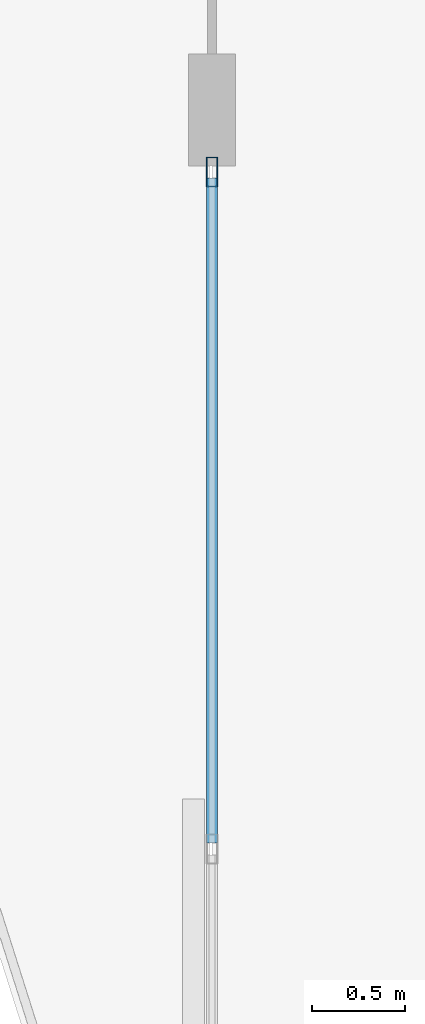
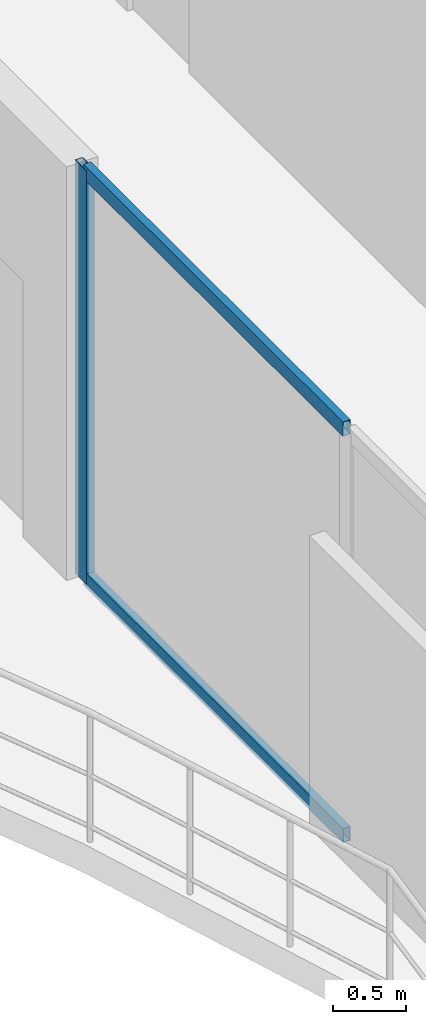
# One storey, part 8 of 16: 3 members, 1 element without a shape of its own.
"""IFC4 building model written with IfcOpenShell, lengths in metres."""

from ifc_helpers import new_model, si_unit, direction, frame, origin, origin_2d, place, context, subcontext, project, spatial, hollow_rectangle, extrude, material, layer, layer_set, material_profile, profile_set, type_object, element, aggregate, save


model = new_model("IFC4")

# Units and contexts
model_context = context("Model", 3, precision=1e-05, world=origin(), true_north=direction((0.0, 1.0)))
body_context = subcontext(model_context, "Body", "Model", "MODEL_VIEW")
ifc_project = project(units=[si_unit("LENGTHUNIT", "METRE"), si_unit("AREAUNIT", "SQUARE_METRE"), si_unit("VOLUMEUNIT", "CUBIC_METRE"), si_unit("PLANEANGLEUNIT", "RADIAN"), si_unit("MASSUNIT", "GRAM", prefix="KILO")], contexts=[model_context])

# Site, building, storey
site_placement = place(None, origin())
site = spatial("IfcSite", under=ifc_project, at=site_placement, CompositionType="ELEMENT")
building_placement = place(site_placement, origin())
building = spatial("IfcBuilding", under=site, at=building_placement, Name="Catumbela Crestline Tower", CompositionType="ELEMENT")
storey_placement = place(building_placement, frame((0.0, 0.0, 286.8)))
storey = spatial("IfcBuildingStorey", under=building, at=storey_placement, Name="L74", CompositionType="ELEMENT", Elevation=286.8)

# Curtain wall, members
ifc_material = material(Name="Aluminium alloy AW-6060-T66", Category="aluminium")
ifc_layer = layer(ifc_material, 0.18, Name="Aluminium alloy AW-6060-T66")
ifc_layer_set = layer_set([ifc_layer], Name="Aluminium alloy AW-6060-T66")
curtain_wall_type = type_object("IfcCurtainWallType", Name="CWU-Z4", PredefinedType="USERDEFINED", material=ifc_layer_set)
curtain_wall_placement = place(storey_placement, origin())
curtain_wall = element("IfcCurtainWall", 1, at=curtain_wall_placement, inside=storey, type_object=curtain_wall_type, Name="L74 Unitised Curtain Wall CW-L74-E9S2", ObjectType="UNITISED", PredefinedType="USERDEFINED")
ifc_material_profile_1 = material_profile(ifc_material, hollow_rectangle(XDim=0.06, YDim=0.16, WallThickness=0.004, at=origin_2d()), Name="ALU 160x60x4")
ifc_profile_set_1 = profile_set([ifc_material_profile_1], Name="Aluminium alloy AW-6060-T66")
member_type_1 = type_object("IfcMemberType", Name="MUL-160X60", PredefinedType="MULLION", material=ifc_profile_set_1)
member_1_placement = place(storey_placement, frame((9.2, 34.5675, 0.0), z_axis=(0.0, 0.0, 1.0), x_axis=(1.0, 0.0, 0.0)))
member_1 = element("IfcMember", 2, at=member_1_placement, type_object=member_type_1, Name="CWU-Z4 mullion 1", PredefinedType="MULLION", context=body_context, shape_type="SweptSolid", body=[
    extrude(hollow_rectangle(XDim=0.06, YDim=0.16, WallThickness=0.004, at=origin_2d()), origin(), (0.0, 0.0, 1.0), 3.47),
])
ifc_material_profile_2 = material_profile(ifc_material, hollow_rectangle(XDim=0.06, YDim=0.12, WallThickness=0.0035, at=origin_2d()), Name="ALU 120x60x3.5")
ifc_profile_set_2 = profile_set([ifc_material_profile_2], Name="Aluminium alloy AW-6060-T66")
member_type_2 = type_object("IfcMemberType", Name="TRN-120X60", PredefinedType="USERDEFINED", material=ifc_profile_set_2)
member_2_placement = place(storey_placement, frame((9.2, 34.535, 0.03), z_axis=(0.0, -1.0, 0.0), x_axis=(1.0, 0.0, 0.0)))
member_2 = element("IfcMember", 3, at=member_2_placement, type_object=member_type_2, Name="CWU-Z4 transom 1.1", ObjectType="TRANSOM", PredefinedType="USERDEFINED", context=body_context, shape_type="SweptSolid", body=[
    extrude(hollow_rectangle(XDim=0.06, YDim=0.12, WallThickness=0.0035, at=origin_2d()), origin(), (0.0, 0.0, 1.0), 3.5692),
])
member_3_placement = place(storey_placement, frame((9.2, 34.535, 3.44), z_axis=(0.0, -1.0, 0.0), x_axis=(1.0, 0.0, 0.0)))
member_3 = element("IfcMember", 4, at=member_3_placement, type_object=member_type_2, Name="CWU-Z4 transom 1.2", ObjectType="TRANSOM", PredefinedType="USERDEFINED", context=body_context, shape_type="SweptSolid", body=[
    extrude(hollow_rectangle(XDim=0.06, YDim=0.12, WallThickness=0.0035, at=origin_2d()), origin(), (0.0, 0.0, 1.0), 3.5692),
])
aggregate(curtain_wall, [member_1, member_2, member_3])

save(model, "model.ifc")
